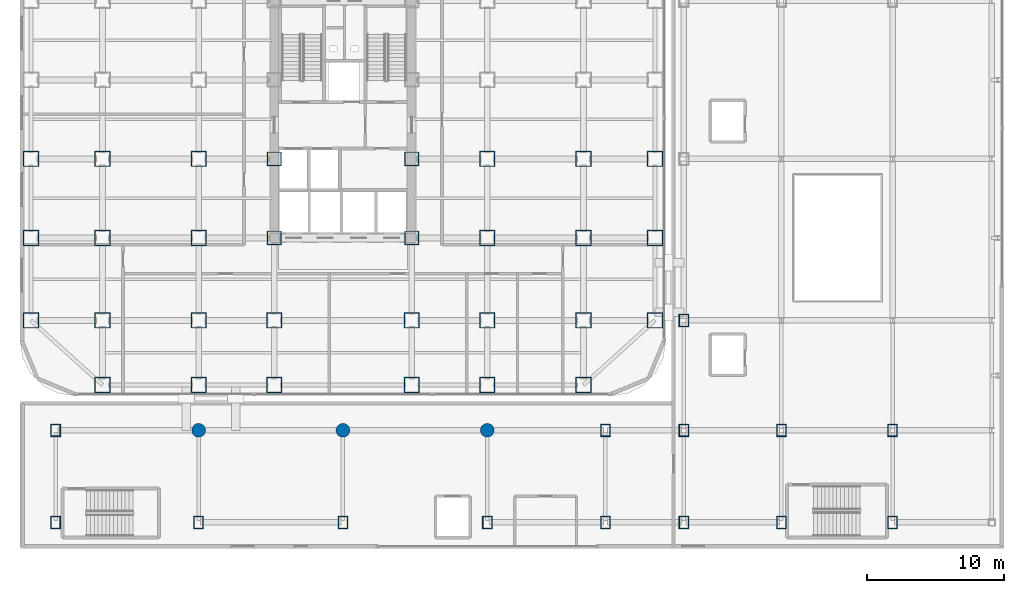
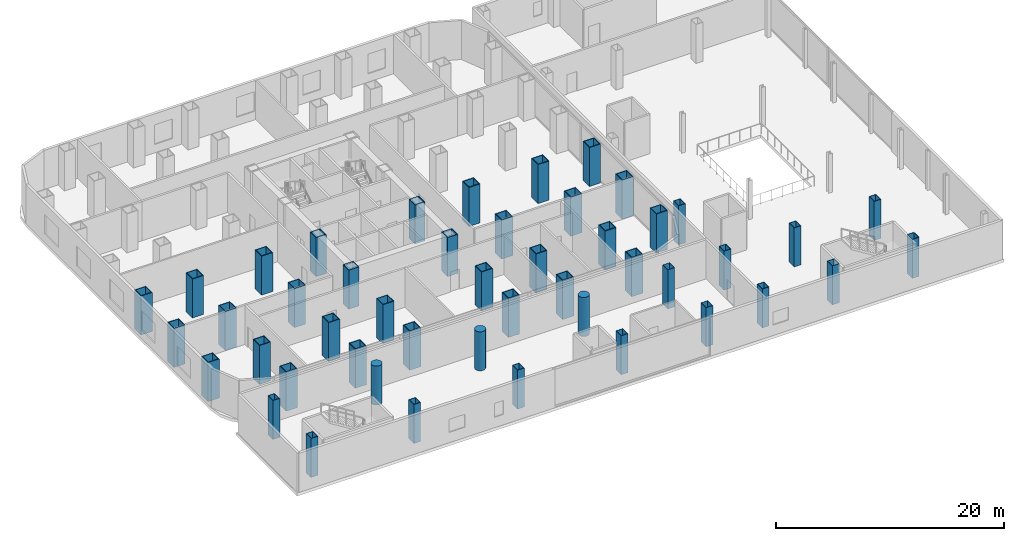
# One storey, part 1 of 26: 47 columns.
"""IFC4 building model written with IfcOpenShell, lengths in metres."""

from ifc_helpers import new_model, si_unit, direction, frame, origin, origin_2d, place, context, subcontext, project, spatial, hollow_rectangle, circle, extrude, source, transform, mapped, material, material_profile, profile_set, type_object, element, save


model = new_model("IFC4")

# Units and contexts
model_context = context("Model", 3, precision=1e-05, world=origin(), true_north=direction((0.0, 1.0)))
body_context = subcontext(model_context, "Body", "Model", "MODEL_VIEW")
ifc_project = project(units=[si_unit("LENGTHUNIT", "METRE"), si_unit("AREAUNIT", "SQUARE_METRE"), si_unit("VOLUMEUNIT", "CUBIC_METRE"), si_unit("PLANEANGLEUNIT", "RADIAN"), si_unit("MASSUNIT", "GRAM", prefix="KILO")], contexts=[model_context])

# Site, building, storey
site_placement = place(None, origin())
site = spatial("IfcSite", under=ifc_project, at=site_placement, CompositionType="ELEMENT")
building_placement = place(site_placement, origin())
building = spatial("IfcBuilding", under=site, at=building_placement, Name="Kolveth Station Tower", CompositionType="ELEMENT")
storey_placement = place(building_placement, frame((0.0, 0.0, 4.5)))
storey = spatial("IfcBuildingStorey", under=building, at=storey_placement, Name="L01", CompositionType="ELEMENT", Elevation=4.5)

# Columns
ifc_material_1 = material(Name="Steel S460", Category="steel")
ifc_material_profile_1 = material_profile(ifc_material_1, hollow_rectangle(XDim=1.139892578125, YDim=1.139892578125, WallThickness=0.070068359375, at=origin_2d()), Name="BOX1140x1140x70")
ifc_profile_set_1 = profile_set([ifc_material_profile_1], Name="Steel S460")
column_type_1 = type_object("IfcColumnType", Name="Col_C1", PredefinedType="COLUMN", material=ifc_profile_set_1)
shared_shape_1 = source(origin(), body_context, "Body", "SweptSolid", [
    extrude(hollow_rectangle(XDim=1.139892578125, YDim=1.139892578125, WallThickness=0.070068359375, at=origin_2d()), origin(), (0.0, 0.0, 1.0), 4.179931640625),
])
for number, where, z_axis, x_axis, name in (
    (1, (6.0, 0.800048828125, 0.0), (0.0, 0.0, 1.0), (1.0, 0.0, 0.0), "L01 Tower Column S-X60"),
    (2, (13.0, 0.800048828125, 0.0), (0.0, 0.0, 1.0), (1.0, 0.0, 0.0), "L01 Tower Column S-X130"),
    (3, (18.5, 0.800048828125, 0.0), (0.0, 0.0, 1.0), (1.0, 0.0, 0.0), "L01 Tower Column S-X185"),
    (4, (28.5, 0.800048828125, 0.0), (0.0, 0.0, 1.0), (1.0, 0.0, 0.0), "L01 Tower Column S-X285"),
    (5, (34.0, 0.800048828125, 0.0), (0.0, 0.0, 1.0), (1.0, 0.0, 0.0), "L01 Tower Column S-X340"),
    (6, (41.0, 0.800048828125, 0.0), (0.0, 0.0, 1.0), (1.0, 0.0, 0.0), "L01 Tower Column S-X410"),
    (7, (0.800048828125, 5.5, 0.0), (0.0, 0.0, 1.0), (1.0, 0.0, 0.0), "L01 Tower Column W-Y55"),
    (8, (46.199951171875, 5.5, 0.0), (0.0, 0.0, 1.0), (1.0, 0.0, 0.0), "L01 Tower Column E-Y55"),
    (9, (0.800048828125, 11.5, 0.0), (0.0, 0.0, 1.0), (1.0, 0.0, 0.0), "L01 Tower Column W-Y115"),
    (10, (46.199951171875, 11.5, 0.0), (0.0, 0.0, 1.0), (1.0, 0.0, 0.0), "L01 Tower Column E-Y115"),
    (11, (0.800048828125, 17.25, 0.0), (0.0, 0.0, 1.0), (1.0, 0.0, 0.0), "L01 Tower Column W-Y172"),
    (12, (46.199951171875, 17.25, 0.0), (0.0, 0.0, 1.0), (1.0, 0.0, 0.0), "L01 Tower Column E-Y172"),
    (13, (6.0, 5.5, 0.0), (0.0, 0.0, 1.0), (1.0, 0.0, 0.0), "L01 Tower Column G-60-55"),
    (14, (6.0, 11.5, 0.0), (0.0, 0.0, 1.0), (1.0, 0.0, 0.0), "L01 Tower Column G-60-115"),
    (15, (6.0, 17.25, 0.0), (0.0, 0.0, 1.0), (1.0, 0.0, 0.0), "L01 Tower Column G-60-172"),
    (16, (13.0, 5.5, 0.0), (0.0, 0.0, 1.0), (1.0, 0.0, 0.0), "L01 Tower Column G-130-55"),
    (17, (13.0, 11.5, 0.0), (0.0, 0.0, 1.0), (1.0, 0.0, 0.0), "L01 Tower Column G-130-115"),
    (18, (13.0, 17.25, 0.0), (0.0, 0.0, 1.0), (1.0, 0.0, 0.0), "L01 Tower Column G-130-172"),
    (19, (18.5, 5.5, 0.0), (0.0, 0.0, 1.0), (1.0, 0.0, 0.0), "L01 Tower Column G-185-55"),
    (20, (28.5, 5.5, 0.0), (0.0, 0.0, 1.0), (1.0, 0.0, 0.0), "L01 Tower Column G-285-55"),
    (21, (34.0, 5.5, 0.0), (0.0, 0.0, 1.0), (1.0, 0.0, 0.0), "L01 Tower Column G-340-55"),
    (22, (34.0, 11.5, 0.0), (0.0, 0.0, 1.0), (1.0, 0.0, 0.0), "L01 Tower Column G-340-115"),
    (23, (34.0, 17.25, 0.0), (0.0, 0.0, 1.0), (1.0, 0.0, 0.0), "L01 Tower Column G-340-172"),
    (24, (41.0, 5.5, 0.0), (0.0, 0.0, 1.0), (1.0, 0.0, 0.0), "L01 Tower Column G-410-55"),
    (25, (41.0, 11.5, 0.0), (0.0, 0.0, 1.0), (1.0, 0.0, 0.0), "L01 Tower Column G-410-115"),
    (26, (41.0, 17.25, 0.0), (0.0, 0.0, 1.0), (1.0, 0.0, 0.0), "L01 Tower Column G-410-172"),
):
    element("IfcColumn", number, at=place(storey_placement, frame(where, z_axis=z_axis, x_axis=x_axis)), inside=storey, type_object=column_type_1, Name=name, PredefinedType="COLUMN", context=body_context, shape_type="MappedRepresentation", body=[
        mapped(shared_shape_1, transform((0.0, 0.0, 0.0), x_axis=(1.0, 0.0, 0.0), y_axis=(0.0, 1.0, 0.0), z_axis=(0.0, 0.0, 1.0), scale=1.0)),
    ])
ifc_material_profile_2 = material_profile(ifc_material_1, hollow_rectangle(XDim=1.0400390625, YDim=1.0400390625, WallThickness=0.06494140625, at=origin_2d()), Name="BOX1040x1040x65")
ifc_profile_set_2 = profile_set([ifc_material_profile_2], Name="Steel S460")
column_type_2 = type_object("IfcColumnType", Name="Col_C2", PredefinedType="COLUMN", material=ifc_profile_set_2)
shared_shape_2 = source(origin(), body_context, "Body", "SweptSolid", [
    extrude(hollow_rectangle(XDim=1.0400390625, YDim=1.0400390625, WallThickness=0.06494140625, at=origin_2d()), origin(), (0.0, 0.0, 1.0), 4.179931640625),
])
for number, where, z_axis, x_axis, name in (
    (27, (18.5, 11.5, 0.0), (0.0, 0.0, 1.0), (1.0, 0.0, 0.0), "L01 Tower Column G-185-115"),
    (28, (18.5, 17.25, 0.0), (0.0, 0.0, 1.0), (1.0, 0.0, 0.0), "L01 Tower Column G-185-172"),
    (29, (28.5, 11.5, 0.0), (0.0, 0.0, 1.0), (1.0, 0.0, 0.0), "L01 Tower Column G-285-115"),
    (30, (28.5, 17.25, 0.0), (0.0, 0.0, 1.0), (1.0, 0.0, 0.0), "L01 Tower Column G-285-172"),
):
    element("IfcColumn", number, at=place(storey_placement, frame(where, z_axis=z_axis, x_axis=x_axis)), inside=storey, type_object=column_type_2, Name=name, PredefinedType="COLUMN", context=body_context, shape_type="MappedRepresentation", body=[
        mapped(shared_shape_2, transform((0.0, 0.0, 0.0), x_axis=(1.0, 0.0, 0.0), y_axis=(0.0, 1.0, 0.0), z_axis=(0.0, 0.0, 1.0), scale=1.0)),
    ])
ifc_material_2 = material(Name="Steel S355", Category="steel")
ifc_material_profile_3 = material_profile(ifc_material_2, hollow_rectangle(XDim=0.699951171875, YDim=0.89990234375, WallThickness=0.0400390625, at=origin_2d()), Name="BOX900x700x40")
ifc_profile_set_3 = profile_set([ifc_material_profile_3], Name="Steel S355")
column_type_3 = type_object("IfcColumnType", Name="Col_SC1", PredefinedType="COLUMN", material=ifc_profile_set_3)
shared_shape_3 = source(origin(), body_context, "Body", "SweptSolid", [
    extrude(hollow_rectangle(XDim=0.699951171875, YDim=0.89990234375, WallThickness=0.0400390625, at=origin_2d()), origin(), (0.0, 0.0, 1.0), 4.179931640625),
])
for number, where, z_axis, x_axis, name in (
    (31, (2.60009765625, -9.199951171875, 0.0), (0.0, 0.0, 1.0), (1.0, 0.0, 0.0), "L01 Station Column SS-A1"),
    (32, (2.60009765625, -2.5, 0.0), (0.0, 0.0, 1.0), (1.0, 0.0, 0.0), "L01 Station Column SS-B1"),
    (33, (13.0, -9.199951171875, 0.0), (0.0, 0.0, 1.0), (1.0, 0.0, 0.0), "L01 Station Column SS-A2"),
    (34, (23.5, -9.199951171875, 0.0), (0.0, 0.0, 1.0), (1.0, 0.0, 0.0), "L01 Station Column SS-A3"),
    (35, (34.0, -9.199951171875, 0.0), (0.0, 0.0, 1.0), (1.0, 0.0, 0.0), "L01 Station Column SS-A4"),
    (36, (42.60009765625, -9.199951171875, 0.0), (0.0, 0.0, 1.0), (1.0, 0.0, 0.0), "L01 Station Column SS-A5"),
    (37, (42.60009765625, -2.5, 0.0), (0.0, 0.0, 1.0), (1.0, 0.0, 0.0), "L01 Station Column SS-B5"),
    (38, (48.300048828125, -9.199951171875, 0.0), (0.0, 0.0, 1.0), (1.0, 0.0, 0.0), "L01 Station Column SE-1-1"),
    (39, (48.300048828125, -2.5, 0.0), (0.0, 0.0, 1.0), (1.0, 0.0, 0.0), "L01 Station Column SE-1-2"),
    (40, (48.300048828125, 5.5, 0.0), (0.0, 0.0, 1.0), (1.0, 0.0, 0.0), "L01 Station Column SE-1-3"),
    (41, (55.39990234375, -9.199951171875, 0.0), (0.0, 0.0, 1.0), (1.0, 0.0, 0.0), "L01 Station Column SE-2-1"),
    (42, (55.39990234375, -2.5, 0.0), (0.0, 0.0, 1.0), (1.0, 0.0, 0.0), "L01 Station Column SE-2-2"),
    (43, (63.5, -9.199951171875, 0.0), (0.0, 0.0, 1.0), (1.0, 0.0, 0.0), "L01 Station Column SE-3-1"),
    (44, (63.5, -2.5, 0.0), (0.0, 0.0, 1.0), (1.0, 0.0, 0.0), "L01 Station Column SE-3-2"),
):
    element("IfcColumn", number, at=place(storey_placement, frame(where, z_axis=z_axis, x_axis=x_axis)), inside=storey, type_object=column_type_3, Name=name, PredefinedType="COLUMN", context=body_context, shape_type="MappedRepresentation", body=[
        mapped(shared_shape_3, transform((0.0, 0.0, 0.0), x_axis=(1.0, 0.0, 0.0), y_axis=(0.0, 1.0, 0.0), z_axis=(0.0, 0.0, 1.0), scale=1.0)),
    ])
ifc_material_3 = material(Name="Concrete C50/60", Category="concrete")
ifc_material_profile_4 = material_profile(ifc_material_3, circle(Radius=0.5, at=origin_2d()), Name="RC-D1000")
ifc_profile_set_4 = profile_set([ifc_material_profile_4], Name="Concrete C50/60")
column_type_4 = type_object("IfcColumnType", Name="Col_CC1", PredefinedType="COLUMN", material=ifc_profile_set_4)
shared_shape_4 = source(origin(), body_context, "Body", "SweptSolid", [
    extrude(circle(Radius=0.5, at=origin_2d()), origin(), (0.0, 0.0, 1.0), 4.179931640625),
])
for number, where, z_axis, x_axis, name in (
    (45, (13.0, -2.5, 0.0), (0.0, 0.0, 1.0), (1.0, 0.0, 0.0), "L01 Station Column SS-B2"),
    (46, (23.5, -2.5, 0.0), (0.0, 0.0, 1.0), (1.0, 0.0, 0.0), "L01 Station Column SS-B3"),
    (47, (34.0, -2.5, 0.0), (0.0, 0.0, 1.0), (1.0, 0.0, 0.0), "L01 Station Column SS-B4"),
):
    element("IfcColumn", number, at=place(storey_placement, frame(where, z_axis=z_axis, x_axis=x_axis)), inside=storey, type_object=column_type_4, Name=name, PredefinedType="COLUMN", context=body_context, shape_type="MappedRepresentation", body=[
        mapped(shared_shape_4, transform((0.0, 0.0, 0.0), x_axis=(1.0, 0.0, 0.0), y_axis=(0.0, 1.0, 0.0), z_axis=(0.0, 0.0, 1.0), scale=1.0)),
    ])

save(model, "model.ifc")
